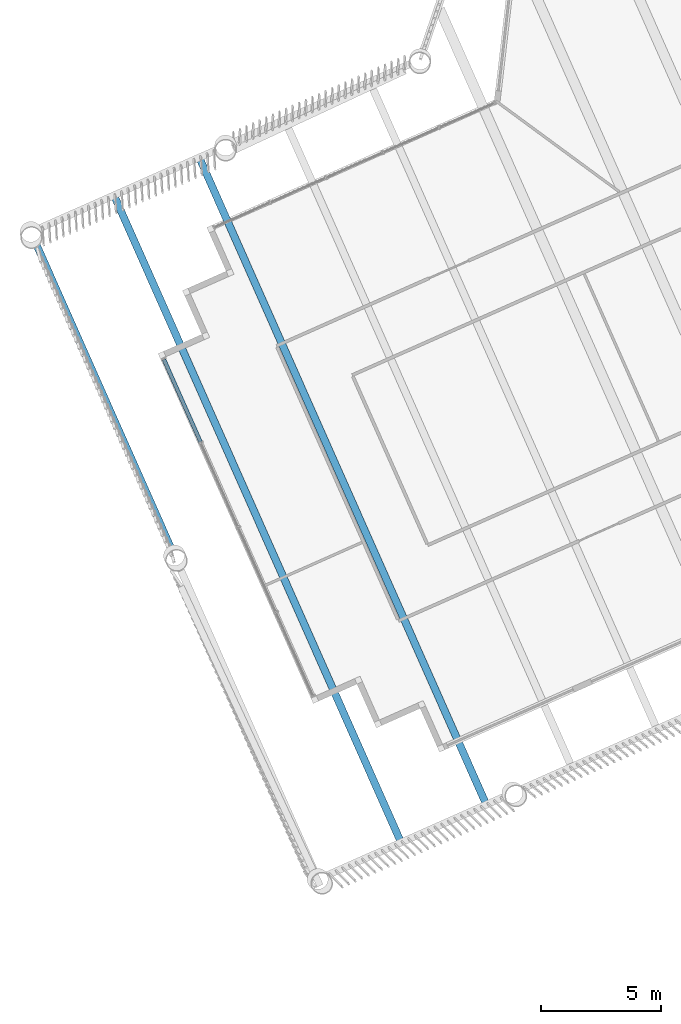
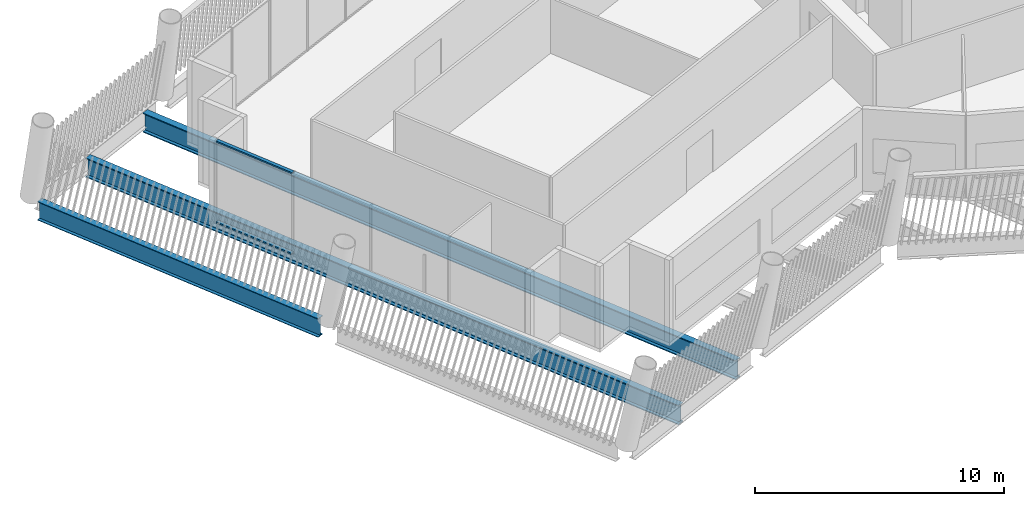
# One storey, part 5 of 28: 3 beams, 2 members, 1 element without a shape of its own.
"""IFC4 building model written with IfcOpenShell, lengths in metres."""

from ifc_helpers import new_model, si_unit, direction, frame, origin, origin_2d, place, context, subcontext, project, spatial, hollow_rectangle, i_section, extrude, material, layer, layer_set, material_profile, profile_set, type_object, element, aggregate, save


model = new_model("IFC4")

# Units and contexts
model_context = context("Model", 3, precision=1e-05, world=origin(), true_north=direction((0.0, 1.0)))
body_context = subcontext(model_context, "Body", "Model", "MODEL_VIEW")
ifc_project = project(units=[si_unit("LENGTHUNIT", "METRE"), si_unit("AREAUNIT", "SQUARE_METRE"), si_unit("VOLUMEUNIT", "CUBIC_METRE"), si_unit("PLANEANGLEUNIT", "RADIAN"), si_unit("MASSUNIT", "GRAM", prefix="KILO")], contexts=[model_context])

# Site, building, storey
site_placement = place(None, origin())
site = spatial("IfcSite", under=ifc_project, at=site_placement, CompositionType="ELEMENT")
building_placement = place(site_placement, origin())
building = spatial("IfcBuilding", under=site, at=building_placement, Name="Tarsis Ring Headquarters", CompositionType="ELEMENT")
storey_placement = place(building_placement, frame((0.0, 0.0, 381.800048828125)))
storey = spatial("IfcBuildingStorey", under=building, at=storey_placement, Name="L90", CompositionType="ELEMENT", Elevation=381.800048828125)

# Curtain wall, members
ifc_material_1 = material(Name="Aluminium curtain wall", Category="aluminium")
ifc_layer = layer(ifc_material_1, 0.199951171875)
ifc_layer_set = layer_set([ifc_layer], Name="Curtain wall executive tip")
curtain_wall_type = type_object("IfcCurtainWallType", Name="Curtain wall executive tip", PredefinedType="NOTDEFINED", material=ifc_layer_set)
curtain_wall_placement = place(storey_placement, origin())
curtain_wall = element("IfcCurtainWall", 1, at=curtain_wall_placement, inside=storey, type_object=curtain_wall_type, Name="Curtain wall L90-36", PredefinedType="NOTDEFINED")
ifc_material_2 = material(Name="Aluminium transom", Category="aluminium")
ifc_material_profile_1 = material_profile(ifc_material_2, hollow_rectangle(XDim=0.159912109375, YDim=0.070068359375, WallThickness=0.0048828125, at=origin_2d()), Name="RHS 160x70x5")
ifc_profile_set_1 = profile_set([ifc_material_profile_1], Name="Aluminium transom")
member_type = type_object("IfcMemberType", Name="Curtain wall transom executive tip RHS 160x70x5", PredefinedType="USERDEFINED", material=ifc_profile_set_1)
member_1_placement = place(storey_placement, frame((-39.564208984375, -9.1474609375, 0.034912109375), z_axis=(0.405471381795, -0.914107739025, 0.0), x_axis=(0.914107739025, 0.405471381795, 0.0)))
member_1 = element("IfcMember", 2, at=member_1_placement, type_object=member_type, Name="CW-E transom 1.1", ObjectType="TRANSOM", PredefinedType="USERDEFINED", context=body_context, shape_type="SweptSolid", body=[
    extrude(hollow_rectangle(XDim=0.159912109375, YDim=0.070068359375, WallThickness=0.0048828125, at=origin_2d()), origin(), (0.0, 0.0, 1.0), 3.769775390625),
])
member_2_placement = place(storey_placement, frame((-39.564208984375, -9.1474609375, 4.0048828125), z_axis=(0.405471381795, -0.914107739025, 0.0), x_axis=(0.914107739025, 0.405471381795, 0.0)))
member_2 = element("IfcMember", 3, at=member_2_placement, type_object=member_type, Name="CW-E transom 1.2", ObjectType="TRANSOM", PredefinedType="USERDEFINED", context=body_context, shape_type="SweptSolid", body=[
    extrude(hollow_rectangle(XDim=0.159912109375, YDim=0.070068359375, WallThickness=0.0048828125, at=origin_2d()), origin(), (0.0, 0.0, 1.0), 3.769775390625),
])
aggregate(curtain_wall, [member_1, member_2])

# Beams
ifc_material_3 = material(Name="Structural steel S355", Category="steel")
ifc_material_profile_2 = material_profile(ifc_material_3, i_section(OverallWidth=0.309814453125, OverallDepth=0.949951171875, WebThickness=0.0244140625, FlangeThickness=0.0439453125, at=origin_2d()), Name="W36x256")
ifc_profile_set_2 = profile_set([ifc_material_profile_2], Name="Structural steel S355")
beam_type_1 = type_object("IfcBeamType", Name="FB Floor beam W36x256", PredefinedType="JOIST", material=ifc_profile_set_2)
for number, where, z_axis, x_axis, name in (
    (4, (-38.06494140625, -0.750732421875, -0.635009765625), (0.405463286373, -0.914111329874, 0.0), (0.914111329874, 0.405463286373, 0.0), "Floor beam FB11"),
    (5, (-41.6298828125, -2.33203125, -0.635009765625), (0.405456369834, -0.914114397743, 0.0), (0.914114397743, 0.405456369834, 0.0), "Floor beam FB11"),
):
    element("IfcBeam", number, at=place(storey_placement, frame(where, z_axis=z_axis, x_axis=x_axis)), inside=storey, type_object=beam_type_1, Name=name, PredefinedType="JOIST", context=body_context, shape_type="SweptSolid", body=[
        extrude(i_section(OverallWidth=0.309814453125, OverallDepth=0.949951171875, WebThickness=0.0244140625, FlangeThickness=0.0439453125, at=origin_2d()), origin(), (0.0, 0.0, 1.0), 29.4951171875),
    ])
ifc_material_profile_3 = material_profile(ifc_material_3, i_section(OverallWidth=0.3046875, OverallDepth=0.91943359375, WebThickness=0.017333984375, FlangeThickness=0.02783203125, at=origin_2d()), Name="W36x170")
ifc_profile_set_3 = profile_set([ifc_material_profile_3], Name="Structural steel S355")
beam_type_2 = type_object("IfcBeamType", Name="XG Ring girder W36x170", PredefinedType="BEAM", material=ifc_profile_set_3)
beam_placement = place(storey_placement, frame((-44.9580078125, -4.200927734375, -0.459716796875), z_axis=(0.405465779365, -0.914110224078, 0.0), x_axis=(0.914110224078, 0.405465779365, 0.0)))
element("IfcBeam", 6, at=beam_placement, inside=storey, type_object=beam_type_2, Name="Ring girder XG4", PredefinedType="BEAM", context=body_context, shape_type="SweptSolid", body=[
    extrude(i_section(OverallWidth=0.3046875, OverallDepth=0.91943359375, WebThickness=0.017333984375, FlangeThickness=0.02783203125, at=origin_2d()), origin(), (0.0, 0.0, 1.0), 13.97705078125),
])

save(model, "model.ifc")
